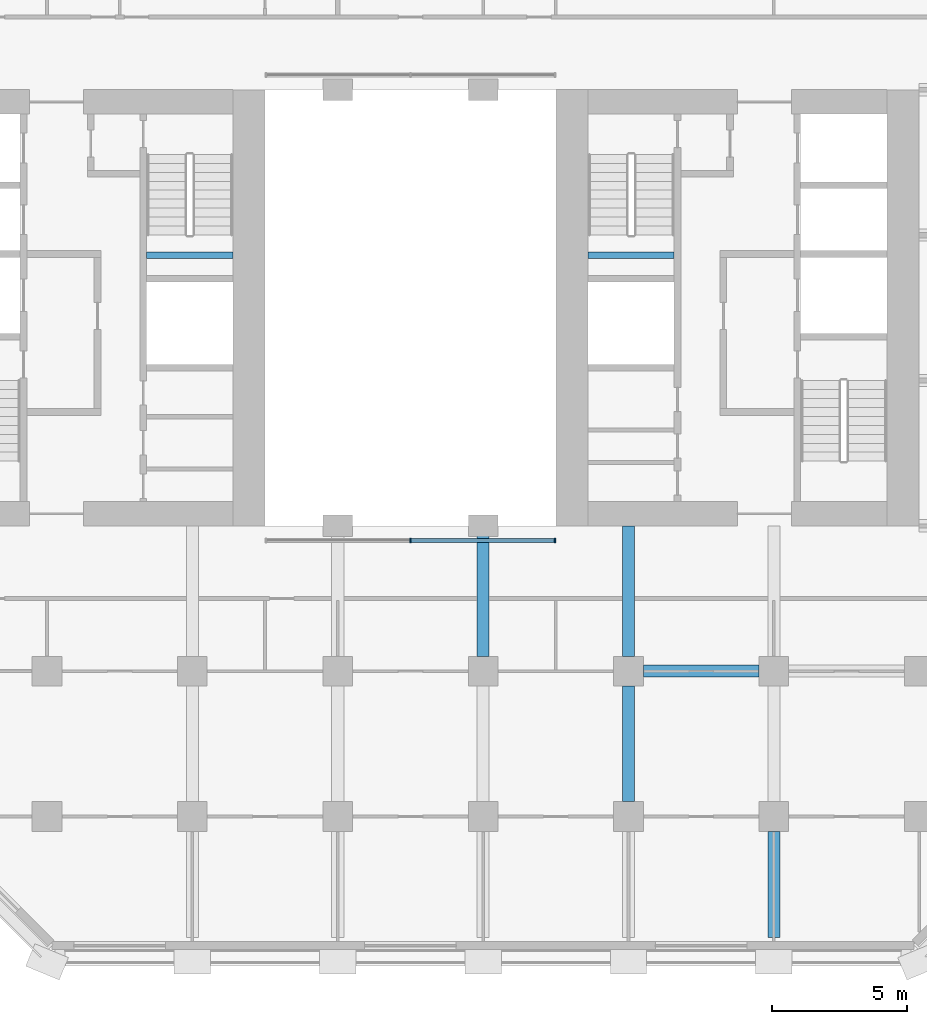
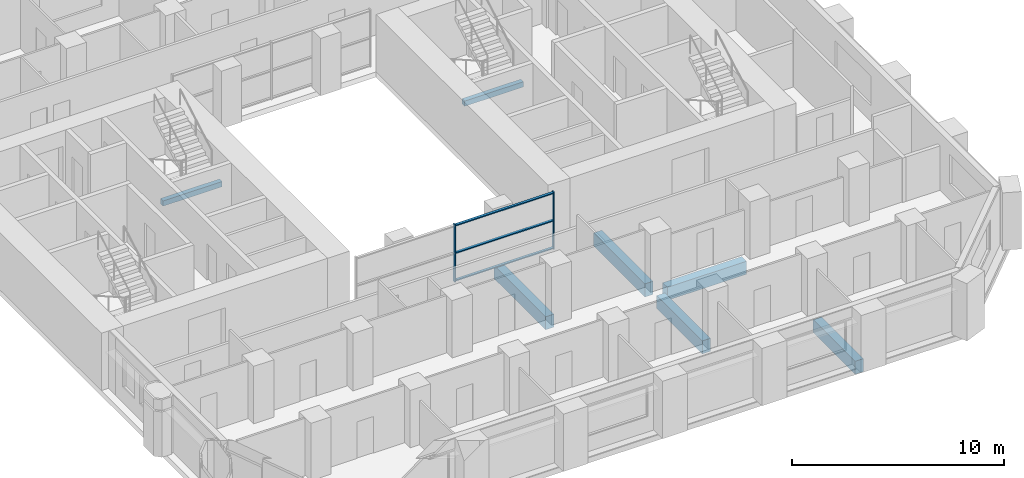
# One storey, part 4 of 13: 7 beams, 5 members, 1 element without a shape of its own.
"""IFC4 building model written with IfcOpenShell, lengths in metres."""

from ifc_helpers import new_model, si_unit, direction, frame, origin, origin_2d, place, context, subcontext, project, spatial, rectangle, extrude, material, material_profile, profile_set, type_object, element, aggregate, save


model = new_model("IFC4")

# Units and contexts
model_context = context("Model", 3, precision=1e-05, world=origin(), true_north=direction((0.0, 1.0)))
body_context = subcontext(model_context, "Body", "Model", "MODEL_VIEW")
ifc_project = project(units=[si_unit("LENGTHUNIT", "METRE"), si_unit("AREAUNIT", "SQUARE_METRE"), si_unit("VOLUMEUNIT", "CUBIC_METRE"), si_unit("PLANEANGLEUNIT", "RADIAN"), si_unit("MASSUNIT", "GRAM", prefix="KILO")], contexts=[model_context])

# Site, building, storey
site_placement = place(None, origin())
site = spatial("IfcSite", under=ifc_project, at=site_placement, CompositionType="ELEMENT")
building_placement = place(site_placement, origin())
building = spatial("IfcBuilding", under=site, at=building_placement, Name="Tabaq Tower and Sports Hall", CompositionType="ELEMENT")
storey_placement = place(building_placement, frame((0.0, 0.0, 56.39990234375)))
storey = spatial("IfcBuildingStorey", under=building, at=storey_placement, Name="L12", CompositionType="ELEMENT", Elevation=56.39990234375)

# Curtain wall, members
ifc_material_1 = material(Name="Aluminium alloy 6063-T6 framed glazing", Category="aluminium")
curtain_wall_type = type_object("IfcCurtainWallType", Name="CW1 curtain wall", PredefinedType="USERDEFINED", material=ifc_material_1)
curtain_wall_placement = place(storey_placement, origin())
curtain_wall = element("IfcCurtainWall", 1, at=curtain_wall_placement, inside=storey, type_object=curtain_wall_type, Name="Atrium glazing L12 S", ObjectType="ATRIUM ENCLOSURE", PredefinedType="USERDEFINED")
ifc_material_2 = material(Name="Aluminium alloy 6063-T6", Category="aluminium")
ifc_material_profile_1 = material_profile(ifc_material_2, rectangle(XDim=0.159912109375, YDim=0.06005859375, at=origin_2d()), Name="MULLION 160x60")
ifc_profile_set_1 = profile_set([ifc_material_profile_1], Name="Aluminium alloy 6063-T6")
member_type_1 = type_object("IfcMemberType", Name="CW1 mullion 160x60", PredefinedType="MULLION", material=ifc_profile_set_1)
member_1_placement = place(storey_placement, frame((24.300048828125, 15.64990234375, 0.0), z_axis=(0.0, 0.0, 1.0), x_axis=(0.0, 1.0, 0.0)))
member_1 = element("IfcMember", 2, at=member_1_placement, type_object=member_type_1, Name="CW1 mullion 2", PredefinedType="MULLION", context=body_context, shape_type="SweptSolid", body=[
    extrude(rectangle(XDim=0.159912109375, YDim=0.06005859375, at=origin_2d()), origin(), (0.0, 0.0, 1.0), 3.300048828125),
])
member_2_placement = place(storey_placement, frame((29.669921875, 15.64990234375, 0.0), z_axis=(0.0, 0.0, 1.0), x_axis=(0.0, 1.0, 0.0)))
member_2 = element("IfcMember", 3, at=member_2_placement, type_object=member_type_1, Name="CW1 mullion 3", PredefinedType="MULLION", context=body_context, shape_type="SweptSolid", body=[
    extrude(rectangle(XDim=0.159912109375, YDim=0.06005859375, at=origin_2d()), origin(), (0.0, 0.0, 1.0), 3.300048828125),
])
ifc_material_3 = material(Name="Aluminium alloy 6063-T6", Category="aluminium")
ifc_material_profile_2 = material_profile(ifc_material_3, rectangle(XDim=0.139892578125, YDim=0.06005859375, at=origin_2d()), Name="TRANSOM 140x60")
ifc_profile_set_2 = profile_set([ifc_material_profile_2], Name="Aluminium alloy 6063-T6")
member_type_2 = type_object("IfcMemberType", Name="CW1 transom 140x60", PredefinedType="USERDEFINED", material=ifc_profile_set_2)
member_3_placement = place(storey_placement, frame((24.330078125, 15.64990234375, 0.070068359375), z_axis=(1.0, 0.0, 0.0), x_axis=(0.0, 1.0, 0.0)))
member_3 = element("IfcMember", 4, at=member_3_placement, type_object=member_type_2, Name="CW1 transom 2.1", ObjectType="TRANSOM", PredefinedType="USERDEFINED", context=body_context, shape_type="SweptSolid", body=[
    extrude(rectangle(XDim=0.139892578125, YDim=0.06005859375, at=origin_2d()), origin(), (0.0, 0.0, 1.0), 5.309814453125),
])
member_4_placement = place(storey_placement, frame((24.330078125, 15.64990234375, 1.650146484375), z_axis=(1.0, 0.0, 0.0), x_axis=(0.0, 1.0, 0.0)))
member_4 = element("IfcMember", 5, at=member_4_placement, type_object=member_type_2, Name="CW1 transom 2.2", ObjectType="TRANSOM", PredefinedType="USERDEFINED", context=body_context, shape_type="SweptSolid", body=[
    extrude(rectangle(XDim=0.139892578125, YDim=0.06005859375, at=origin_2d()), origin(), (0.0, 0.0, 1.0), 5.309814453125),
])
member_5_placement = place(storey_placement, frame((24.330078125, 15.64990234375, 3.22998046875), z_axis=(1.0, 0.0, 0.0), x_axis=(0.0, 1.0, 0.0)))
member_5 = element("IfcMember", 6, at=member_5_placement, type_object=member_type_2, Name="CW1 transom 2.3", ObjectType="TRANSOM", PredefinedType="USERDEFINED", context=body_context, shape_type="SweptSolid", body=[
    extrude(rectangle(XDim=0.139892578125, YDim=0.06005859375, at=origin_2d()), origin(), (0.0, 0.0, 1.0), 5.309814453125),
])
aggregate(curtain_wall, [member_1, member_2, member_3, member_4, member_5])

# Beams
ifc_material_4 = material(Name="Concrete C40/50", Category="concrete")
ifc_material_profile_3 = material_profile(ifc_material_4, rectangle(XDim=0.449951171875, YDim=0.75, at=origin_2d()), Name="CB 450x750")
ifc_profile_set_3 = profile_set([ifc_material_profile_3], Name="Concrete C40/50")
beam_type_1 = type_object("IfcBeamType", Name="PT CANTILEVER BEAM CB 450x750 C40/50", PredefinedType="BEAM", material=ifc_profile_set_3)
beam_1_placement = place(storey_placement, frame((37.25, 10.800048828125, -0.6748046875), z_axis=(-1.0, 0.0, 0.0), x_axis=(0.0, -1.0, 0.0)))
element("IfcBeam", 7, at=beam_1_placement, inside=storey, type_object=beam_type_1, Name="Cantilever Beam L12 E2 span 3", PredefinedType="BEAM", context=body_context, shape_type="SweptSolid", body=[
    extrude(rectangle(XDim=0.449951171875, YDim=0.75, at=origin_2d()), origin(), (0.0, 0.0, 1.0), 4.300048828125),
])
beam_2_placement = place(storey_placement, frame((27.0, 11.35009765625, -0.6748046875), z_axis=(0.0, 1.0, 0.0), x_axis=(-1.0, 0.0, 0.0)))
element("IfcBeam", 8, at=beam_2_placement, inside=storey, type_object=beam_type_1, Name="Cantilever Beam L12 S5 span 3", PredefinedType="BEAM", context=body_context, shape_type="SweptSolid", body=[
    extrude(rectangle(XDim=0.449951171875, YDim=0.75, at=origin_2d()), origin(), (0.0, 0.0, 1.0), 4.849853515625),
])
beam_3_placement = place(storey_placement, frame((32.39990234375, 5.949951171875, -0.6748046875), z_axis=(0.0, 1.0, 0.0), x_axis=(-1.0, 0.0, 0.0)))
element("IfcBeam", 9, at=beam_3_placement, inside=storey, type_object=beam_type_1, Name="Cantilever Beam L12 S6 span 2", PredefinedType="BEAM", context=body_context, shape_type="SweptSolid", body=[
    extrude(rectangle(XDim=0.449951171875, YDim=0.75, at=origin_2d()), origin(), (0.0, 0.0, 1.0), 4.300048828125),
])
beam_4_placement = place(storey_placement, frame((32.39990234375, 11.35009765625, -0.6748046875), z_axis=(0.0, 1.0, 0.0), x_axis=(-1.0, 0.0, 0.0)))
element("IfcBeam", 10, at=beam_4_placement, inside=storey, type_object=beam_type_1, Name="Cantilever Beam L12 S6 span 3", PredefinedType="BEAM", context=body_context, shape_type="SweptSolid", body=[
    extrude(rectangle(XDim=0.449951171875, YDim=0.75, at=origin_2d()), origin(), (0.0, 0.0, 1.0), 4.849853515625),
])
beam_5_placement = place(storey_placement, frame((37.800048828125, 0.89990234375, -0.6748046875), z_axis=(0.0, 1.0, 0.0), x_axis=(-1.0, 0.0, 0.0)))
element("IfcBeam", 11, at=beam_5_placement, inside=storey, type_object=beam_type_1, Name="Cantilever Beam L12 S7 span 1", PredefinedType="BEAM", context=body_context, shape_type="SweptSolid", body=[
    extrude(rectangle(XDim=0.449951171875, YDim=0.75, at=origin_2d()), origin(), (0.0, 0.0, 1.0), 3.9501953125),
])
ifc_material_5 = material(Name="Concrete C40/50", Category="concrete")
ifc_material_profile_4 = material_profile(ifc_material_5, rectangle(XDim=0.25, YDim=0.300048828125, at=origin_2d()), Name="RC 250x300")
ifc_profile_set_4 = profile_set([ifc_material_profile_4], Name="Concrete C40/50")
beam_type_2 = type_object("IfcBeamType", Name="Stair landing beam 250x300", PredefinedType="BEAM", material=ifc_profile_set_4)
beam_6_placement = place(storey_placement, frame((14.5, 26.25, 1.550048828125), z_axis=(1.0, 0.0, 0.0), x_axis=(0.0, 1.0, 0.0)))
element("IfcBeam", 12, at=beam_6_placement, inside=storey, type_object=beam_type_2, Name="L12 ST2 landing beam 1", PredefinedType="BEAM", context=body_context, shape_type="SweptSolid", body=[
    extrude(rectangle(XDim=0.25, YDim=0.300048828125, at=origin_2d()), origin(), (0.0, 0.0, 1.0), 3.199951171875),
])
beam_7_placement = place(storey_placement, frame((30.89990234375, 26.25, 1.550048828125), z_axis=(1.0, 0.0, 0.0), x_axis=(0.0, 1.0, 0.0)))
element("IfcBeam", 13, at=beam_7_placement, inside=storey, type_object=beam_type_2, Name="L12 ST4 landing beam 1", PredefinedType="BEAM", context=body_context, shape_type="SweptSolid", body=[
    extrude(rectangle(XDim=0.25, YDim=0.300048828125, at=origin_2d()), origin(), (0.0, 0.0, 1.0), 3.2001953125),
])

save(model, "model.ifc")
